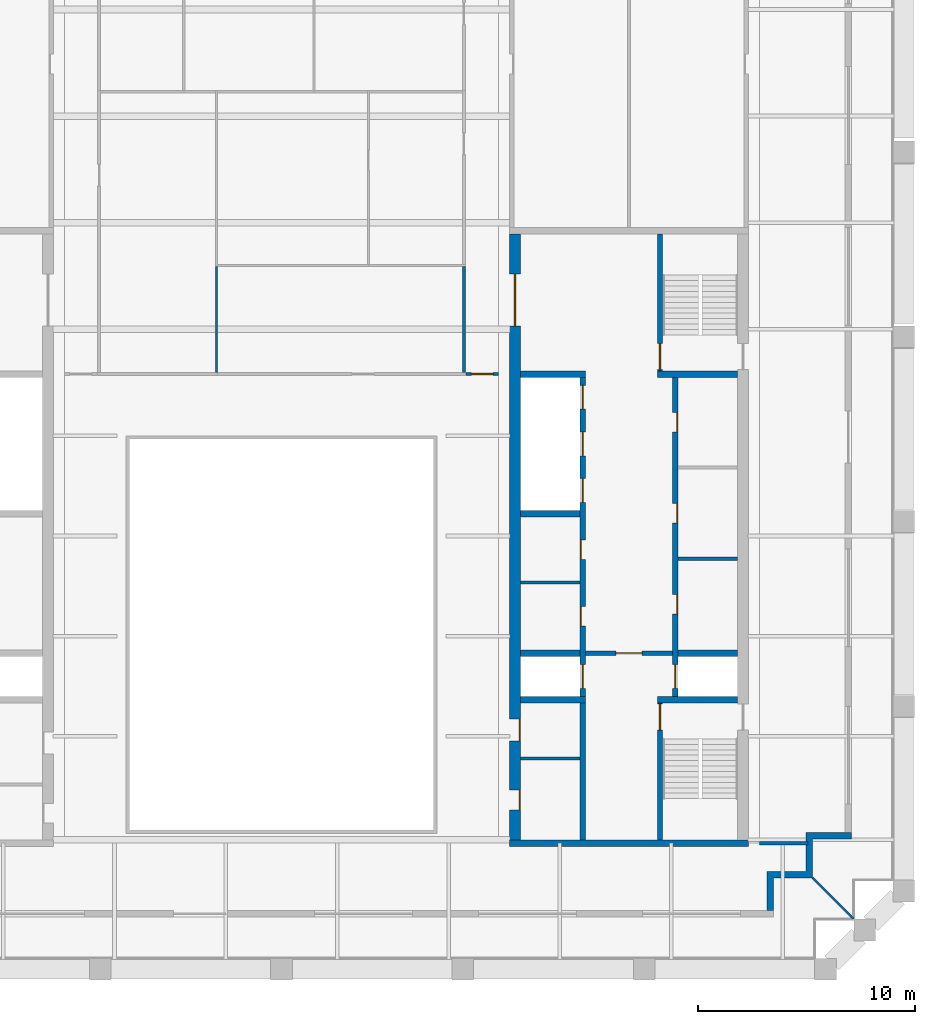
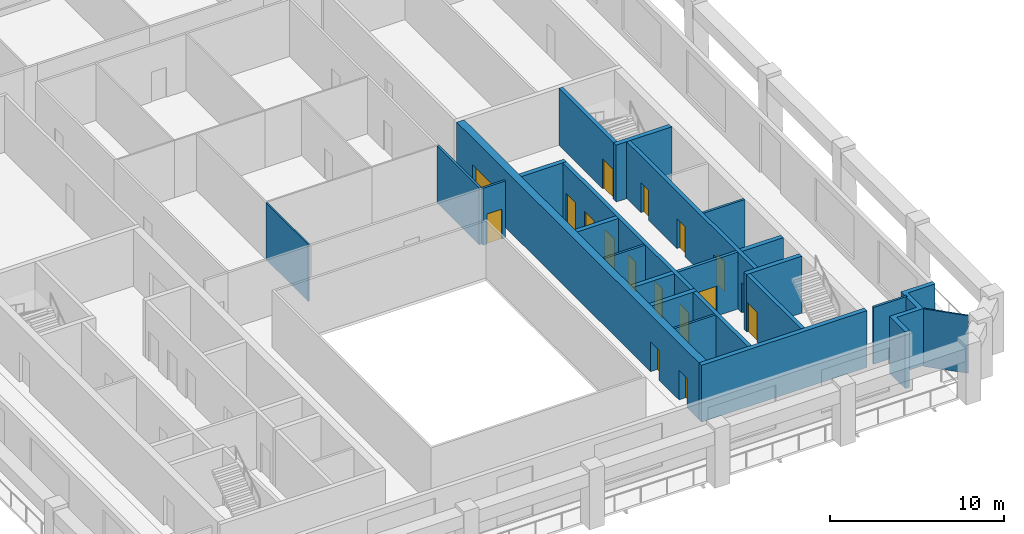
# One storey, part 4 of 8: 23 walls, 17 doors, 17 openings.
"""IFC4 building model written with IfcOpenShell, lengths in metres."""

from ifc_helpers import new_model, si_unit, direction, frame, frame_2d, origin, place, context, subcontext, project, spatial, polyline, rectangle, outline, extrude, material, layer, layer_set, type_object, element, fill, save


model = new_model("IFC4")

# Units and contexts
model_context = context("Model", 3, precision=1e-05, world=origin(), true_north=direction((0.0, 1.0)))
body_context = subcontext(model_context, "Body", "Model", "MODEL_VIEW")
ifc_project = project(units=[si_unit("LENGTHUNIT", "METRE"), si_unit("AREAUNIT", "SQUARE_METRE"), si_unit("VOLUMEUNIT", "CUBIC_METRE"), si_unit("PLANEANGLEUNIT", "RADIAN"), si_unit("MASSUNIT", "GRAM", prefix="KILO")], contexts=[model_context])

# Site, building, storey
site_placement = place(None, origin())
site = spatial("IfcSite", under=ifc_project, at=site_placement, CompositionType="ELEMENT")
building_placement = place(site_placement, origin())
building = spatial("IfcBuilding", under=site, at=building_placement, Name="Ogive Exchange Tower", CompositionType="ELEMENT")
storey_placement = place(building_placement, frame((0.0, 0.0, 334.199951171875)))
storey = spatial("IfcBuildingStorey", under=building, at=storey_placement, Name="L73", CompositionType="ELEMENT", Elevation=334.199951171875)

# Walls
ifc_material_1 = material(Name="Gypsum board partition")
ifc_layer_1 = layer(ifc_material_1, 0.14990234375)
ifc_layer_set_1 = layer_set([ifc_layer_1], Name="Core room partition 150 gypsum")
wall_type_1 = type_object("IfcWallType", Name="Core room partition 150 gypsum", PredefinedType="PARTITIONING", material=ifc_layer_set_1)
for number, where, z_axis, x_axis, name in (
    (1, (18.25, 10.5, 0.0), (0.0, 0.0, 1.0), (1.0, 0.0, 0.0), "E row A bay partition 1-1"),
    (2, (11.0, 9.39990234375, 0.0), (0.0, 0.0, 1.0), (1.0, 0.0, 0.0), "E row B bay partition 1-1"),
    (3, (11.0, 1.300048828125, 0.0), (0.0, 0.0, 1.0), (1.0, 0.0, 0.0), "E south room partition"),
):
    element("IfcWall", number, at=place(storey_placement, frame(where, z_axis=z_axis, x_axis=x_axis)), inside=storey, type_object=wall_type_1, Name=name, PredefinedType="PARTITIONING", context=body_context, shape_type="SweptSolid", body=[
        extrude(rectangle(XDim=2.75, YDim=0.14990234375, at=frame_2d((1.375, 0.0))), origin(), (0.0, 0.0, 1.0), 4.0),
    ])
ifc_material_2 = material(Name="Fire partition EI 60 150")
ifc_layer_2 = layer(ifc_material_2, 0.14990234375)
ifc_layer_set_2 = layer_set([ifc_layer_2], Name="Fire partition EI 60 150")
wall_type_2 = type_object("IfcWallType", Name="Fire partition EI 60 150", PredefinedType="PARTITIONING", material=ifc_layer_set_2)
wall_1_placement = place(storey_placement, frame((8.39990234375, 19.074951171875, 0.0), z_axis=(0.0, 0.0, 1.0), x_axis=(0.0, 1.0, 0.0)))
element("IfcWall", 4, at=wall_1_placement, inside=storey, type_object=wall_type_2, Name="L73-PWL-041", PredefinedType="PARTITIONING", context=body_context, shape_type="SweptSolid", body=[
    extrude(rectangle(XDim=4.875, YDim=0.14990234375, at=frame_2d((2.4375, 0.0))), origin(), (0.0, 0.0, 1.0), 4.0),
])
wall_2_placement = place(storey_placement, frame((22.0, -2.60009765625, 0.0), z_axis=(0.0, 0.0, 1.0), x_axis=(1.0, 0.0, 0.0)))
element("IfcWall", 5, at=wall_2_placement, inside=storey, type_object=wall_type_2, Name="L73-PWL-050", PredefinedType="PARTITIONING", context=body_context, shape_type="SweptSolid", body=[
    extrude(rectangle(XDim=2.25, YDim=0.14990234375, at=frame_2d((1.125, 0.0))), origin(), (0.0, 0.0, 1.0), 4.0),
])

# Wall, opening, door
wall_3_placement = place(storey_placement, frame((8.485107421875, 19.0, 0.0), z_axis=(0.0, 0.0, 1.0), x_axis=(1.0, 0.0, 0.0)))
wall_3 = element("IfcWall", 6, at=wall_3_placement, inside=storey, type_object=wall_type_2, Name="L73-PWL-056", PredefinedType="PARTITIONING", context=body_context, shape_type="SweptSolid", body=[
    extrude(rectangle(XDim=1.514892578125, YDim=0.14990234375, at=frame_2d((0.75732421875, 0.0))), origin(), (0.0, 0.0, 1.0), 4.0),
])
opening_1_placement = place(wall_3_placement, frame((0.258056640625, 0.0, 0.0)))
opening_1 = element("IfcOpeningElement", 7, at=opening_1_placement, cuts=wall_3, Name="Opening L73-I22", PredefinedType="OPENING", context=body_context, shape_type="SweptSolid", body=[
    extrude(rectangle(XDim=1.0, YDim=2.10009765625, at=frame_2d((0.5, 1.050048828125))), frame((0.0, 0.0849609375, 0.0), z_axis=(0.0, -1.0, 0.0), x_axis=(1.0, 0.0, 0.0)), (0.0, 0.0, 1.0), 0.169921875),
])
ifc_material_3 = material(Name="Fire door FD 30S 1000 x 2100")
door_type_1 = type_object("IfcDoorType", Name="Fire door FD 30S 1000 x 2100", OperationType="NOTDEFINED", PredefinedType="DOOR", material=ifc_material_3)
door_1_placement = place(opening_1_placement, origin())
door_1 = element("IfcDoor", 8, at=door_1_placement, inside=storey, type_object=door_type_1, Name="L73-IDR-022", ObjectType="DT3", OperationType="SINGLE_SWING_RIGHT", OverallHeight=2.10009765625, OverallWidth=1.0, PredefinedType="DOOR", context=body_context, shape_type="SweptSolid", body=[
    extrude(rectangle(XDim=1.0, YDim=2.10009765625, at=frame_2d((0.5, 1.050048828125))), frame((0.0, 0.02490234375, 0.0), z_axis=(0.0, -1.0, 0.0), x_axis=(1.0, 0.0, 0.0)), (0.0, 0.0, 1.0), 0.050048828125),
])
fill(opening_1, door_1)

# Walls
ifc_material_4 = material(Name="Precast concrete C40/50", Category="concrete")
ifc_layer_3 = layer(ifc_material_4, 0.300048828125)
ifc_layer_set_3 = layer_set([ifc_layer_3], Name="Limestone-faced wall 300")
wall_type_3 = type_object("IfcWallType", Name="Limestone-faced wall 300", PredefinedType="STANDARD", material=ifc_layer_set_3)
wall_4_placement = place(storey_placement, origin())
element("IfcWall", 9, at=wall_4_placement, inside=storey, type_object=wall_type_3, Name="External corner wall C1", PredefinedType="STANDARD", context=body_context, shape_type="SweptSolid", body=[
    extrude(outline(polyline([(24.14990234375, -3.89990234375), (24.14990234375, -2.10009765625), (26.25, -2.10009765625), (26.25, -2.39990234375), (24.449951171875, -2.39990234375), (24.449951171875, -4.199951171875), (22.64990234375, -4.199951171875), (22.64990234375, -5.699951171875), (22.35009765625, -5.699951171875), (22.35009765625, -3.89990234375), (24.14990234375, -3.89990234375)])), origin(), (0.0, 0.0, 1.0), 4.0),
])
ifc_material_5 = material(Name="Laminated safety glass in steel frame", Category="steel")
ifc_layer_4 = layer(ifc_material_5, 0.10009765625)
ifc_layer_set_4 = layer_set([ifc_layer_4], Name="Loggia end screen 100")
wall_type_4 = type_object("IfcWallType", Name="Loggia end screen 100", PredefinedType="STANDARD", material=ifc_layer_set_4)
wall_5_placement = place(storey_placement, frame((24.449951171875, -4.199951171875, -0.050048828125), z_axis=(0.0, 0.0, 1.0), x_axis=(0.707106781187, -0.707106781187, 0.0)))
element("IfcWall", 10, at=wall_5_placement, inside=storey, type_object=wall_type_4, Name="Loggia end screen C1", PredefinedType="STANDARD", context=body_context, shape_type="SweptSolid", body=[
    extrude(rectangle(XDim=2.667236328125, YDim=0.10009765625, at=frame_2d((1.33349609375, 0.0))), origin(), (0.0, 0.0, 1.0), 4.050048828125),
])
ifc_material_6 = material(Name="Partition 100 gypsum")
ifc_layer_5 = layer(ifc_material_6, 0.10009765625)
ifc_layer_set_5 = layer_set([ifc_layer_5], Name="Partition 100 gypsum")
wall_type_5 = type_object("IfcWallType", Name="Partition 100 gypsum", PredefinedType="PARTITIONING", material=ifc_layer_set_5)
wall_6_placement = place(storey_placement, frame((-3.0, 19.074951171875, 0.0), z_axis=(0.0, 0.0, 1.0), x_axis=(0.0, 1.0, 0.0)))
element("IfcWall", 11, at=wall_6_placement, inside=storey, type_object=wall_type_5, Name="L73-PWL-025", PredefinedType="PARTITIONING", context=body_context, shape_type="SweptSolid", body=[
    extrude(rectangle(XDim=4.875, YDim=0.10009765625, at=frame_2d((2.4375, 0.0))), origin(), (0.0, 0.0, 1.0), 4.0),
])

# Wall, opening, door
ifc_material_7 = material(Name="Concrete C70/85", Category="concrete")
ifc_layer_6 = layer(ifc_material_7, 0.199951171875)
ifc_layer_set_6 = layer_set([ifc_layer_6], Name="RC core wall 200 C70/85")
wall_type_6 = type_object("IfcWallType", Name="RC core wall 200 C70/85", PredefinedType="SHEAR", material=ifc_layer_set_6)
wall_7_placement = place(storey_placement, frame((14.0, 6.142822265625, 0.0), z_axis=(0.0, 0.0, 1.0), x_axis=(1.0, 0.0, 0.0)))
wall_7 = element("IfcWall", 12, at=wall_7_placement, inside=storey, type_object=wall_type_6, Name="E firefighting lobby wall", PredefinedType="SHEAR", context=body_context, shape_type="SweptSolid", body=[
    extrude(rectangle(XDim=4.0, YDim=0.199951171875, at=frame_2d((2.0, 0.0))), origin(), (0.0, 0.0, 1.0), 4.0),
])
opening_2_placement = place(wall_7_placement, frame((1.39990234375, 0.0, 0.0)))
opening_2 = element("IfcOpeningElement", 13, at=opening_2_placement, cuts=wall_7, Name="Opening L73-C28", PredefinedType="OPENING", context=body_context, shape_type="SweptSolid", body=[
    extrude(rectangle(XDim=1.199951171875, YDim=2.10009765625, at=frame_2d((0.60009765625, 1.050048828125))), frame((0.0, 0.10986328125, 0.0), z_axis=(0.0, -1.0, 0.0), x_axis=(1.0, 0.0, 0.0)), (0.0, 0.0, 1.0), 0.219970703125),
])
ifc_material_8 = material(Name="Steel fire door", Category="steel")
door_type_2 = type_object("IfcDoorType", Name="Firefighting lobby door FD60 1200 x 2100", OperationType="NOTDEFINED", PredefinedType="DOOR", material=ifc_material_8)
door_2_placement = place(opening_2_placement, frame((1.199951171875, 0.0, 0.0), z_axis=(0.0, 0.0, 1.0), x_axis=(-1.0, 0.0, 0.0)))
door_2 = element("IfcDoor", 14, at=door_2_placement, inside=storey, type_object=door_type_2, Name="Firefighting lobby door", ObjectType="CD3", OperationType="SINGLE_SWING_RIGHT", OverallHeight=2.10009765625, OverallWidth=1.199951171875, PredefinedType="DOOR", context=body_context, shape_type="SweptSolid", body=[
    extrude(rectangle(XDim=1.199951171875, YDim=2.10009765625, at=frame_2d((0.60009765625, 1.050048828125))), frame((0.0, 0.02490234375, 0.0), z_axis=(0.0, -1.0, 0.0), x_axis=(1.0, 0.0, 0.0)), (0.0, 0.0, 1.0), 0.050048828125),
])
fill(opening_2, door_2)

ifc_layer_7 = layer(ifc_material_7, 0.25)
ifc_layer_set_7 = layer_set([ifc_layer_7], Name="RC core wall 250 C70/85")
wall_type_7 = type_object("IfcWallType", Name="RC core wall 250 C70/85", PredefinedType="SHEAR", material=ifc_layer_set_7)
wall_8_placement = place(storey_placement, frame((17.425048828125, -2.449951171875, 0.0), z_axis=(0.0, 0.0, 1.0), x_axis=(0.0, 1.0, 0.0)))
wall_8 = element("IfcWall", 15, at=wall_8_placement, inside=storey, type_object=wall_type_7, Name="E stair S front wall", PredefinedType="SHEAR", context=body_context, shape_type="SweptSolid", body=[
    extrude(rectangle(XDim=6.300048828125, YDim=0.25, at=frame_2d((3.14990234375, 0.0))), origin(), (0.0, 0.0, 1.0), 4.0),
])
opening_3_placement = place(wall_8_placement, frame((5.050048828125, 0.0, 0.0)))
opening_3 = element("IfcOpeningElement", 16, at=opening_3_placement, cuts=wall_8, Name="Opening L73-C30", PredefinedType="OPENING", context=body_context, shape_type="SweptSolid", body=[
    extrude(rectangle(XDim=1.199951171875, YDim=2.10009765625, at=frame_2d((0.60009765625, 1.050048828125))), frame((0.0, 0.135009765625, 0.0), z_axis=(0.0, -1.0, 0.0), x_axis=(1.0, 0.0, 0.0)), (0.0, 0.0, 1.0), 0.27001953125),
])
door_type_3 = type_object("IfcDoorType", Name="Stair door FD90 1200 x 2100", OperationType="NOTDEFINED", PredefinedType="DOOR", material=ifc_material_8)
door_3_placement = place(opening_3_placement, frame((1.199951171875, 0.0, 0.0), z_axis=(0.0, 0.0, 1.0), x_axis=(-1.0, 0.0, 0.0)))
door_3 = element("IfcDoor", 17, at=door_3_placement, inside=storey, type_object=door_type_3, Name="Stair door", ObjectType="CD5", OperationType="SINGLE_SWING_RIGHT", OverallHeight=2.10009765625, OverallWidth=1.199951171875, PredefinedType="DOOR", context=body_context, shape_type="SweptSolid", body=[
    extrude(rectangle(XDim=1.199951171875, YDim=2.10009765625, at=frame_2d((0.60009765625, 1.050048828125))), frame((0.0, 0.02490234375, 0.0), z_axis=(0.0, -1.0, 0.0), x_axis=(1.0, 0.0, 0.0)), (0.0, 0.0, 1.0), 0.050048828125),
])
fill(opening_3, door_3)

wall_9_placement = place(storey_placement, frame((17.425048828125, 19.14990234375, 0.0), z_axis=(0.0, 0.0, 1.0), x_axis=(0.0, 1.0, 0.0)))
wall_9 = element("IfcWall", 18, at=wall_9_placement, inside=storey, type_object=wall_type_7, Name="E stair N front wall", PredefinedType="SHEAR", context=body_context, shape_type="SweptSolid", body=[
    extrude(rectangle(XDim=6.300048828125, YDim=0.25, at=frame_2d((3.14990234375, 0.0))), origin(), (0.0, 0.0, 1.0), 4.0),
])
opening_4_placement = place(wall_9_placement, frame((0.050048828125, 0.0, 0.0)))
opening_4 = element("IfcOpeningElement", 19, at=opening_4_placement, cuts=wall_9, Name="Opening L73-C32", PredefinedType="OPENING", context=body_context, shape_type="SweptSolid", body=[
    extrude(rectangle(XDim=1.199951171875, YDim=2.10009765625, at=frame_2d((0.60009765625, 1.050048828125))), frame((0.0, 0.135009765625, 0.0), z_axis=(0.0, -1.0, 0.0), x_axis=(1.0, 0.0, 0.0)), (0.0, 0.0, 1.0), 0.27001953125),
])
door_4_placement = place(opening_4_placement, frame((1.199951171875, 0.0, 0.0), z_axis=(0.0, 0.0, 1.0), x_axis=(-1.0, 0.0, 0.0)))
door_4 = element("IfcDoor", 20, at=door_4_placement, inside=storey, type_object=door_type_3, Name="Stair door", ObjectType="CD5", OperationType="SINGLE_SWING_LEFT", OverallHeight=2.10009765625, OverallWidth=1.199951171875, PredefinedType="DOOR", context=body_context, shape_type="SweptSolid", body=[
    extrude(rectangle(XDim=1.199951171875, YDim=2.10009765625, at=frame_2d((0.60009765625, 1.050048828125))), frame((0.0, 0.02490234375, 0.0), z_axis=(0.0, -1.0, 0.0), x_axis=(1.0, 0.0, 0.0)), (0.0, 0.0, 1.0), 0.050048828125),
])
fill(opening_4, door_4)

# Wall, openings, doors
wall_10_placement = place(storey_placement, frame((18.125, 4.14990234375, 0.0), z_axis=(0.0, 0.0, 1.0), x_axis=(0.0, 1.0, 0.0)))
wall_10 = element("IfcWall", 21, at=wall_10_placement, inside=storey, type_object=wall_type_7, Name="E row A front wall", PredefinedType="SHEAR", context=body_context, shape_type="SweptSolid", body=[
    extrude(rectangle(XDim=14.7001953125, YDim=0.25, at=frame_2d((7.35009765625, 0.0))), origin(), (0.0, 0.0, 1.0), 4.0),
])
opening_5_placement = place(wall_10_placement, frame((3.79638671875, 0.0, 0.0)))
opening_5 = element("IfcOpeningElement", 22, at=opening_5_placement, cuts=wall_10, Name="Opening L73-C18", PredefinedType="OPENING", context=body_context, shape_type="SweptSolid", body=[
    extrude(rectangle(XDim=0.89990234375, YDim=2.10009765625, at=frame_2d((0.449951171875, 1.050048828125))), frame((0.0, 0.135009765625, 0.0), z_axis=(0.0, -1.0, 0.0), x_axis=(1.0, 0.0, 0.0)), (0.0, 0.0, 1.0), 0.27001953125),
])
opening_6_placement = place(wall_10_placement, frame((8.0, 0.0, 0.0)))
opening_6 = element("IfcOpeningElement", 23, at=opening_6_placement, cuts=wall_10, Name="Opening L73-C19", PredefinedType="OPENING", context=body_context, shape_type="SweptSolid", body=[
    extrude(rectangle(XDim=0.89990234375, YDim=2.10009765625, at=frame_2d((0.449951171875, 1.050048828125))), frame((0.0, 0.135009765625, 0.0), z_axis=(0.0, -1.0, 0.0), x_axis=(1.0, 0.0, 0.0)), (0.0, 0.0, 1.0), 0.27001953125),
])
opening_7_placement = place(wall_10_placement, frame((12.175048828125, 0.0, 0.0)))
opening_7 = element("IfcOpeningElement", 24, at=opening_7_placement, cuts=wall_10, Name="Opening L73-C20", PredefinedType="OPENING", context=body_context, shape_type="SweptSolid", body=[
    extrude(rectangle(XDim=0.89990234375, YDim=2.10009765625, at=frame_2d((0.449951171875, 1.050048828125))), frame((0.0, 0.135009765625, 0.0), z_axis=(0.0, -1.0, 0.0), x_axis=(1.0, 0.0, 0.0)), (0.0, 0.0, 1.0), 0.27001953125),
])
opening_8_placement = place(wall_10_placement, frame((0.371337890625, 0.0, 0.0)))
opening_8 = element("IfcOpeningElement", 25, at=opening_8_placement, cuts=wall_10, Name="Opening L73-C21", PredefinedType="OPENING", context=body_context, shape_type="SweptSolid", body=[
    extrude(rectangle(XDim=1.10009765625, YDim=2.10009765625, at=frame_2d((0.550048828125, 1.050048828125))), frame((0.0, 0.135009765625, 0.0), z_axis=(0.0, -1.0, 0.0), x_axis=(1.0, 0.0, 0.0)), (0.0, 0.0, 1.0), 0.27001953125),
])
ifc_material_9 = material(Name="Timber fire door", Category="wood")
door_type_4 = type_object("IfcDoorType", Name="Core room door FD30S 900 x 2100", OperationType="NOTDEFINED", PredefinedType="DOOR", material=ifc_material_9)
door_5_placement = place(opening_5_placement, frame((0.89990234375, -0.2001953125, 0.0), z_axis=(0.0, 0.0, 1.0), x_axis=(-1.0, 0.0, 0.0)))
door_5 = element("IfcDoor", 26, at=door_5_placement, inside=storey, type_object=door_type_4, Name="Core room door", ObjectType="CD6", OperationType="SINGLE_SWING_LEFT", OverallHeight=2.10009765625, OverallWidth=0.89990234375, PredefinedType="DOOR", context=body_context, shape_type="SweptSolid", body=[
    extrude(rectangle(XDim=0.89990234375, YDim=2.10009765625, at=frame_2d((0.449951171875, 1.050048828125))), frame((0.0, -0.0751953125, 0.0), z_axis=(0.0, -1.0, 0.0), x_axis=(1.0, 0.0, 0.0)), (0.0, 0.0, 1.0), 0.050048828125),
])
fill(opening_5, door_5)
door_6_placement = place(opening_7_placement, frame((0.89990234375, -0.2001953125, 0.0), z_axis=(0.0, 0.0, 1.0), x_axis=(-1.0, 0.0, 0.0)))
door_6 = element("IfcDoor", 27, at=door_6_placement, inside=storey, type_object=door_type_4, Name="Core room door", ObjectType="CD6", OperationType="SINGLE_SWING_RIGHT", OverallHeight=2.10009765625, OverallWidth=0.89990234375, PredefinedType="DOOR", context=body_context, shape_type="SweptSolid", body=[
    extrude(rectangle(XDim=0.89990234375, YDim=2.10009765625, at=frame_2d((0.449951171875, 1.050048828125))), frame((0.0, -0.0751953125, 0.0), z_axis=(0.0, -1.0, 0.0), x_axis=(1.0, 0.0, 0.0)), (0.0, 0.0, 1.0), 0.050048828125),
])
fill(opening_7, door_6)
ifc_material_10 = material(Name="Stainless steel", Category="steel")
door_type_5 = type_object("IfcDoorType", Name="Lift landing door FD90 1100 x 2100", OperationType="SLIDING_TO_LEFT", PredefinedType="DOOR", material=ifc_material_10)
door_7_placement = place(opening_8_placement, origin())
door_7 = element("IfcDoor", 28, at=door_7_placement, inside=storey, type_object=door_type_5, Name="Lift landing door FF2", ObjectType="LD", OperationType="SLIDING_TO_LEFT", OverallHeight=2.10009765625, OverallWidth=1.10009765625, PredefinedType="DOOR", context=body_context, shape_type="SweptSolid", body=[
    extrude(rectangle(XDim=1.10009765625, YDim=2.10009765625, at=frame_2d((0.550048828125, 1.050048828125))), frame((0.0, 0.02490234375, 0.0), z_axis=(0.0, -1.0, 0.0), x_axis=(1.0, 0.0, 0.0)), (0.0, 0.0, 1.0), 0.050048828125),
])
fill(opening_8, door_7)
door_type_6 = type_object("IfcDoorType", Name="Riser door FD60 900 x 2100", OperationType="NOTDEFINED", PredefinedType="DOOR", material=ifc_material_8)
door_8_placement = place(opening_6_placement, frame((0.89990234375, -0.2001953125, 0.0), z_axis=(0.0, 0.0, 1.0), x_axis=(-1.0, 0.0, 0.0)))
door_8 = element("IfcDoor", 29, at=door_8_placement, inside=storey, type_object=door_type_6, Name="Riser door", ObjectType="CD2", OperationType="SINGLE_SWING_LEFT", OverallHeight=2.10009765625, OverallWidth=0.89990234375, PredefinedType="DOOR", context=body_context, shape_type="SweptSolid", body=[
    extrude(rectangle(XDim=0.89990234375, YDim=2.10009765625, at=frame_2d((0.449951171875, 1.050048828125))), frame((0.0, -0.0751953125, 0.0), z_axis=(0.0, -1.0, 0.0), x_axis=(1.0, 0.0, 0.0)), (0.0, 0.0, 1.0), 0.050048828125),
])
fill(opening_6, door_8)

wall_11_placement = place(storey_placement, frame((13.875, -2.449951171875, 0.0), z_axis=(0.0, 0.0, 1.0), x_axis=(0.0, 1.0, 0.0)))
wall_11 = element("IfcWall", 30, at=wall_11_placement, inside=storey, type_object=wall_type_7, Name="E row B front wall", PredefinedType="SHEAR", context=body_context, shape_type="SweptSolid", body=[
    extrude(rectangle(XDim=21.300048828125, YDim=0.25, at=frame_2d((10.64990234375, 0.0))), origin(), (0.0, 0.0, 1.0), 4.0),
])
opening_9_placement = place(wall_11_placement, frame((9.846435546875, 0.0, 0.0)))
opening_9 = element("IfcOpeningElement", 31, at=opening_9_placement, cuts=wall_11, Name="Opening L73-C22", PredefinedType="OPENING", context=body_context, shape_type="SweptSolid", body=[
    extrude(rectangle(XDim=0.89990234375, YDim=2.10009765625, at=frame_2d((0.449951171875, 1.050048828125))), frame((0.0, 0.135009765625, 0.0), z_axis=(0.0, -1.0, 0.0), x_axis=(1.0, 0.0, 0.0)), (0.0, 0.0, 1.0), 0.27001953125),
])
opening_10_placement = place(wall_11_placement, frame((12.91064453125, 0.0, 0.0)))
opening_10 = element("IfcOpeningElement", 32, at=opening_10_placement, cuts=wall_11, Name="Opening L73-C23", PredefinedType="OPENING", context=body_context, shape_type="SweptSolid", body=[
    extrude(rectangle(XDim=0.89990234375, YDim=2.10009765625, at=frame_2d((0.449951171875, 1.050048828125))), frame((0.0, 0.135009765625, 0.0), z_axis=(0.0, -1.0, 0.0), x_axis=(1.0, 0.0, 0.0)), (0.0, 0.0, 1.0), 0.27001953125),
])
opening_11_placement = place(wall_11_placement, frame((6.971435546875, 0.0, 0.0)))
opening_11 = element("IfcOpeningElement", 33, at=opening_11_placement, cuts=wall_11, Name="Opening L73-C24", PredefinedType="OPENING", context=body_context, shape_type="SweptSolid", body=[
    extrude(rectangle(XDim=1.10009765625, YDim=2.10009765625, at=frame_2d((0.550048828125, 1.050048828125))), frame((0.0, 0.135009765625, 0.0), z_axis=(0.0, -1.0, 0.0), x_axis=(1.0, 0.0, 0.0)), (0.0, 0.0, 1.0), 0.27001953125),
])
opening_12_placement = place(wall_11_placement, frame((15.54296875, 0.0, 0.0)))
opening_12 = element("IfcOpeningElement", 34, at=opening_12_placement, cuts=wall_11, Name="Opening L73-C25", PredefinedType="OPENING", context=body_context, shape_type="SweptSolid", body=[
    extrude(rectangle(XDim=1.10009765625, YDim=2.10009765625, at=frame_2d((0.550048828125, 1.050048828125))), frame((0.0, 0.135009765625, 0.0), z_axis=(0.0, -1.0, 0.0), x_axis=(1.0, 0.0, 0.0)), (0.0, 0.0, 1.0), 0.27001953125),
])
opening_13_placement = place(wall_11_placement, frame((17.685791015625, 0.0, 0.0)))
opening_13 = element("IfcOpeningElement", 35, at=opening_13_placement, cuts=wall_11, Name="Opening L73-C26", PredefinedType="OPENING", context=body_context, shape_type="SweptSolid", body=[
    extrude(rectangle(XDim=1.10009765625, YDim=2.10009765625, at=frame_2d((0.550048828125, 1.050048828125))), frame((0.0, 0.135009765625, 0.0), z_axis=(0.0, -1.0, 0.0), x_axis=(1.0, 0.0, 0.0)), (0.0, 0.0, 1.0), 0.27001953125),
])
opening_14_placement = place(wall_11_placement, frame((19.82861328125, 0.0, 0.0)))
opening_14 = element("IfcOpeningElement", 36, at=opening_14_placement, cuts=wall_11, Name="Opening L73-C27", PredefinedType="OPENING", context=body_context, shape_type="SweptSolid", body=[
    extrude(rectangle(XDim=1.10009765625, YDim=2.10009765625, at=frame_2d((0.550048828125, 1.050048828125))), frame((0.0, 0.135009765625, 0.0), z_axis=(0.0, -1.0, 0.0), x_axis=(1.0, 0.0, 0.0)), (0.0, 0.0, 1.0), 0.27001953125),
])
door_9_placement = place(opening_11_placement, origin())
door_9 = element("IfcDoor", 37, at=door_9_placement, inside=storey, type_object=door_type_5, Name="Lift landing door SV2", ObjectType="LD", OperationType="SLIDING_TO_LEFT", OverallHeight=2.10009765625, OverallWidth=1.10009765625, PredefinedType="DOOR", context=body_context, shape_type="SweptSolid", body=[
    extrude(rectangle(XDim=1.10009765625, YDim=2.10009765625, at=frame_2d((0.550048828125, 1.050048828125))), frame((0.0, 0.02490234375, 0.0), z_axis=(0.0, -1.0, 0.0), x_axis=(1.0, 0.0, 0.0)), (0.0, 0.0, 1.0), 0.050048828125),
])
fill(opening_11, door_9)
door_10_placement = place(opening_12_placement, origin())
door_10 = element("IfcDoor", 38, at=door_10_placement, inside=storey, type_object=door_type_5, Name="Lift landing door E-H1", ObjectType="LD", OperationType="SLIDING_TO_LEFT", OverallHeight=2.10009765625, OverallWidth=1.10009765625, PredefinedType="DOOR", context=body_context, shape_type="SweptSolid", body=[
    extrude(rectangle(XDim=1.10009765625, YDim=2.10009765625, at=frame_2d((0.550048828125, 1.050048828125))), frame((0.0, 0.02490234375, 0.0), z_axis=(0.0, -1.0, 0.0), x_axis=(1.0, 0.0, 0.0)), (0.0, 0.0, 1.0), 0.050048828125),
])
fill(opening_12, door_10)
door_11_placement = place(opening_13_placement, origin())
door_11 = element("IfcDoor", 39, at=door_11_placement, inside=storey, type_object=door_type_5, Name="Lift landing door E-H2", ObjectType="LD", OperationType="SLIDING_TO_LEFT", OverallHeight=2.10009765625, OverallWidth=1.10009765625, PredefinedType="DOOR", context=body_context, shape_type="SweptSolid", body=[
    extrude(rectangle(XDim=1.10009765625, YDim=2.10009765625, at=frame_2d((0.550048828125, 1.050048828125))), frame((0.0, 0.02490234375, 0.0), z_axis=(0.0, -1.0, 0.0), x_axis=(1.0, 0.0, 0.0)), (0.0, 0.0, 1.0), 0.050048828125),
])
fill(opening_13, door_11)
door_12_placement = place(opening_14_placement, origin())
door_12 = element("IfcDoor", 40, at=door_12_placement, inside=storey, type_object=door_type_5, Name="Lift landing door E-H3", ObjectType="LD", OperationType="SLIDING_TO_LEFT", OverallHeight=2.10009765625, OverallWidth=1.10009765625, PredefinedType="DOOR", context=body_context, shape_type="SweptSolid", body=[
    extrude(rectangle(XDim=1.10009765625, YDim=2.10009765625, at=frame_2d((0.550048828125, 1.050048828125))), frame((0.0, 0.02490234375, 0.0), z_axis=(0.0, -1.0, 0.0), x_axis=(1.0, 0.0, 0.0)), (0.0, 0.0, 1.0), 0.050048828125),
])
fill(opening_14, door_12)
door_13_placement = place(opening_9_placement, origin())
door_13 = element("IfcDoor", 41, at=door_13_placement, inside=storey, type_object=door_type_6, Name="Riser door", ObjectType="CD2", OperationType="SINGLE_SWING_LEFT", OverallHeight=2.10009765625, OverallWidth=0.89990234375, PredefinedType="DOOR", context=body_context, shape_type="SweptSolid", body=[
    extrude(rectangle(XDim=0.89990234375, YDim=2.10009765625, at=frame_2d((0.449951171875, 1.050048828125))), frame((0.0, 0.125, 0.0), z_axis=(0.0, -1.0, 0.0), x_axis=(1.0, 0.0, 0.0)), (0.0, 0.0, 1.0), 0.050048828125),
])
fill(opening_9, door_13)
door_14_placement = place(opening_10_placement, origin())
door_14 = element("IfcDoor", 42, at=door_14_placement, inside=storey, type_object=door_type_6, Name="Riser door", ObjectType="CD2", OperationType="SINGLE_SWING_LEFT", OverallHeight=2.10009765625, OverallWidth=0.89990234375, PredefinedType="DOOR", context=body_context, shape_type="SweptSolid", body=[
    extrude(rectangle(XDim=0.89990234375, YDim=2.10009765625, at=frame_2d((0.449951171875, 1.050048828125))), frame((0.0, 0.125, 0.0), z_axis=(0.0, -1.0, 0.0), x_axis=(1.0, 0.0, 0.0)), (0.0, 0.0, 1.0), 0.050048828125),
])
fill(opening_10, door_14)

# Walls
ifc_layer_8 = layer(ifc_material_7, 0.300048828125)
ifc_layer_set_8 = layer_set([ifc_layer_8], Name="RC core wall 300 C70/85")
wall_type_8 = type_object("IfcWallType", Name="RC core wall 300 C70/85", PredefinedType="SHEAR", material=ifc_layer_set_8)
wall_12_placement = place(storey_placement, frame((10.5, -2.60009765625, 0.0), z_axis=(0.0, 0.0, 1.0), x_axis=(1.0, 0.0, 0.0)))
element("IfcWall", 43, at=wall_12_placement, inside=storey, type_object=wall_type_8, Name="E south end wall", PredefinedType="SHEAR", context=body_context, shape_type="SweptSolid", body=[
    extrude(rectangle(XDim=11.0, YDim=0.300048828125, at=frame_2d((5.5, 0.0))), origin(), (0.0, 0.0, 1.0), 4.0),
])
for number, where, z_axis, x_axis, name in (
    (44, (17.300048828125, 4.0, 0.0), (0.0, 0.0, 1.0), (1.0, 0.0, 0.0), "E stair S north wall"),
    (45, (17.300048828125, 19.0, 0.0), (0.0, 0.0, 1.0), (1.0, 0.0, 0.0), "E stair N south wall"),
):
    element("IfcWall", number, at=place(storey_placement, frame(where, z_axis=z_axis, x_axis=x_axis)), inside=storey, type_object=wall_type_8, Name=name, PredefinedType="SHEAR", context=body_context, shape_type="SweptSolid", body=[
        extrude(rectangle(XDim=3.699951171875, YDim=0.300048828125, at=frame_2d((1.85009765625, 0.0))), origin(), (0.0, 0.0, 1.0), 4.0),
    ])
wall_13_placement = place(storey_placement, frame((18.25, 6.142822265625, 0.0), z_axis=(0.0, 0.0, 1.0), x_axis=(1.0, 0.0, 0.0)))
element("IfcWall", 46, at=wall_13_placement, inside=storey, type_object=wall_type_8, Name="E row A divider 1", PredefinedType="SHEAR", context=body_context, shape_type="SweptSolid", body=[
    extrude(rectangle(XDim=2.75, YDim=0.300048828125, at=frame_2d((1.375, 0.0))), origin(), (0.0, 0.0, 1.0), 4.0),
])
wall_14_placement = place(storey_placement, frame((11.0, 4.0, 0.0), z_axis=(0.0, 0.0, 1.0), x_axis=(1.0, 0.0, 0.0)))
element("IfcWall", 47, at=wall_14_placement, inside=storey, type_object=wall_type_8, Name="E row B divider 0", PredefinedType="SHEAR", context=body_context, shape_type="SweptSolid", body=[
    extrude(rectangle(XDim=3.0, YDim=0.300048828125, at=frame_2d((1.5, 0.0))), origin(), (0.0, 0.0, 1.0), 4.0),
])
for number, where, z_axis, x_axis, name in (
    (48, (11.0, 6.142822265625, 0.0), (0.0, 0.0, 1.0), (1.0, 0.0, 0.0), "E row B divider 1"),
    (49, (11.0, 12.5712890625, 0.0), (0.0, 0.0, 1.0), (1.0, 0.0, 0.0), "E row B divider 4"),
):
    element("IfcWall", number, at=place(storey_placement, frame(where, z_axis=z_axis, x_axis=x_axis)), inside=storey, type_object=wall_type_8, Name=name, PredefinedType="SHEAR", context=body_context, shape_type="SweptSolid", body=[
        extrude(rectangle(XDim=2.75, YDim=0.300048828125, at=frame_2d((1.375, 0.0))), origin(), (0.0, 0.0, 1.0), 4.0),
    ])
wall_15_placement = place(storey_placement, frame((11.0, 19.0, 0.0), z_axis=(0.0, 0.0, 1.0), x_axis=(1.0, 0.0, 0.0)))
element("IfcWall", 50, at=wall_15_placement, inside=storey, type_object=wall_type_8, Name="E row B divider 7", PredefinedType="SHEAR", context=body_context, shape_type="SweptSolid", body=[
    extrude(rectangle(XDim=3.0, YDim=0.300048828125, at=frame_2d((1.5, 0.0))), origin(), (0.0, 0.0, 1.0), 4.0),
])

# Wall, openings, doors
ifc_layer_9 = layer(ifc_material_7, 0.5)
ifc_layer_set_9 = layer_set([ifc_layer_9], Name="RC core wall 500 C70/85")
wall_type_9 = type_object("IfcWallType", Name="RC core wall 500 C70/85", PredefinedType="SHEAR", material=ifc_layer_set_9)
wall_16_placement = place(storey_placement, frame((10.75, -2.449951171875, 0.0), z_axis=(0.0, 0.0, 1.0), x_axis=(0.0, 1.0, 0.0)))
wall_16 = element("IfcWall", 51, at=wall_16_placement, inside=storey, type_object=wall_type_9, Name="E inner wall", PredefinedType="SHEAR", context=body_context, shape_type="SweptSolid", body=[
    extrude(rectangle(XDim=27.89990234375, YDim=0.5, at=frame_2d((13.949951171875, 0.0))), origin(), (0.0, 0.0, 1.0), 4.0),
])
opening_15_placement = place(wall_16_placement, frame((23.64990234375, 0.0, 0.0)))
opening_15 = element("IfcOpeningElement", 52, at=opening_15_placement, cuts=wall_16, Name="Opening L73-C29", PredefinedType="OPENING", context=body_context, shape_type="SweptSolid", body=[
    extrude(rectangle(XDim=2.39990234375, YDim=2.10009765625, at=frame_2d((1.199951171875, 1.050048828125))), frame((0.0, 0.260009765625, 0.0), z_axis=(0.0, -1.0, 0.0), x_axis=(1.0, 0.0, 0.0)), (0.0, 0.0, 1.0), 0.52001953125),
])
opening_16_placement = place(wall_16_placement, frame((1.387451171875, 0.0, 0.0)))
opening_16 = element("IfcOpeningElement", 53, at=opening_16_placement, cuts=wall_16, Name="Opening L73-C34", PredefinedType="OPENING", context=body_context, shape_type="SweptSolid", body=[
    extrude(rectangle(XDim=0.89990234375, YDim=2.10009765625, at=frame_2d((0.449951171875, 1.050048828125))), frame((0.0, 0.260009765625, 0.0), z_axis=(0.0, -1.0, 0.0), x_axis=(1.0, 0.0, 0.0)), (0.0, 0.0, 1.0), 0.52001953125),
])
opening_17_placement = place(wall_16_placement, frame((4.5625, 0.0, 0.0)))
opening_17 = element("IfcOpeningElement", 54, at=opening_17_placement, cuts=wall_16, Name="Opening L73-C35", PredefinedType="OPENING", context=body_context, shape_type="SweptSolid", body=[
    extrude(rectangle(XDim=1.0, YDim=2.10009765625, at=frame_2d((0.5, 1.050048828125))), frame((0.0, 0.260009765625, 0.0), z_axis=(0.0, -1.0, 0.0), x_axis=(1.0, 0.0, 0.0)), (0.0, 0.0, 1.0), 0.52001953125),
])
door_type_7 = type_object("IfcDoorType", Name="Accessible WC door FD30S 1000 x 2100", OperationType="NOTDEFINED", PredefinedType="DOOR", material=ifc_material_9)
door_15_placement = place(opening_17_placement, origin())
door_15 = element("IfcDoor", 55, at=door_15_placement, inside=storey, type_object=door_type_7, Name="Accessible WC door", ObjectType="CD7", OperationType="SINGLE_SWING_LEFT", OverallHeight=2.10009765625, OverallWidth=1.0, PredefinedType="DOOR", context=body_context, shape_type="SweptSolid", body=[
    extrude(rectangle(XDim=1.0, YDim=2.10009765625, at=frame_2d((0.5, 1.050048828125))), frame((0.0, -0.2001953125, 0.0), z_axis=(0.0, -1.0, 0.0), x_axis=(1.0, 0.0, 0.0)), (0.0, 0.0, 1.0), 0.050048828125),
])
fill(opening_17, door_15)
door_16_placement = place(opening_16_placement, origin())
door_16 = element("IfcDoor", 56, at=door_16_placement, inside=storey, type_object=door_type_4, Name="Core room door", ObjectType="CD6", OperationType="SINGLE_SWING_LEFT", OverallHeight=2.10009765625, OverallWidth=0.89990234375, PredefinedType="DOOR", context=body_context, shape_type="SweptSolid", body=[
    extrude(rectangle(XDim=0.89990234375, YDim=2.10009765625, at=frame_2d((0.449951171875, 1.050048828125))), frame((0.0, -0.2001953125, 0.0), z_axis=(0.0, -1.0, 0.0), x_axis=(1.0, 0.0, 0.0)), (0.0, 0.0, 1.0), 0.050048828125),
])
fill(opening_16, door_16)
ifc_material_11 = material(Name="Glazed steel fire door", Category="steel")
door_type_8 = type_object("IfcDoorType", Name="Lift lobby double door FD60 2400 x 2100", OperationType="DOUBLE_DOOR_SINGLE_SWING", PredefinedType="DOOR", material=ifc_material_11)
door_17_placement = place(opening_15_placement, origin())
door_17 = element("IfcDoor", 57, at=door_17_placement, inside=storey, type_object=door_type_8, Name="Lift lobby double door", ObjectType="CD4", OperationType="DOUBLE_DOOR_SINGLE_SWING", OverallHeight=2.10009765625, OverallWidth=2.39990234375, PredefinedType="DOOR", context=body_context, shape_type="SweptSolid", body=[
    extrude(rectangle(XDim=2.39990234375, YDim=2.10009765625, at=frame_2d((1.199951171875, 1.050048828125))), frame((0.0, 0.02490234375, 0.0), z_axis=(0.0, -1.0, 0.0), x_axis=(1.0, 0.0, 0.0)), (0.0, 0.0, 1.0), 0.050048828125),
])
fill(opening_15, door_17)

save(model, "model.ifc")
